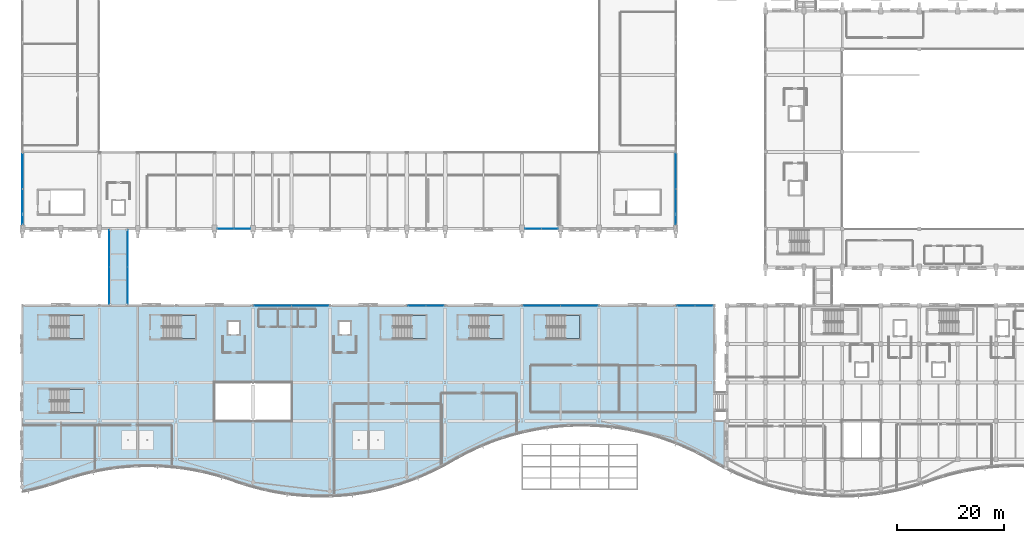
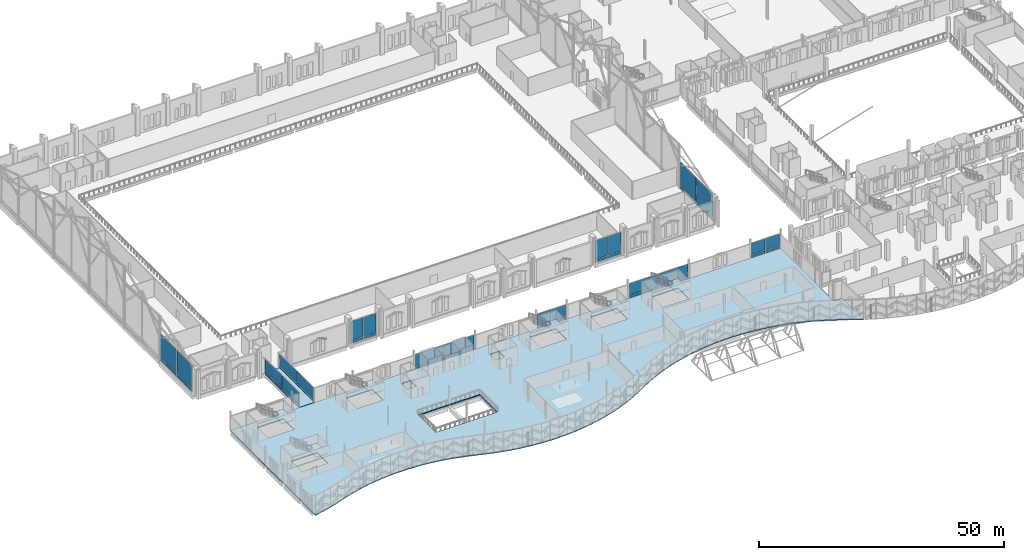
# One storey, part 130 of 220: 40 plates, 8 slabs, 16 elements without a shape of their own.
"""IFC4 building model written with IfcOpenShell, lengths in metres."""

from ifc_helpers import new_model, si_unit, direction, frame, origin, origin_2d, place, context, subcontext, project, spatial, polyline, rectangle, outline, extrude, material, layer, layer_set, type_object, element, aggregate, save


model = new_model("IFC4")

# Units and contexts
model_context = context("Model", 3, precision=1e-05, world=origin(), true_north=direction((0.0, 1.0)))
body_context = subcontext(model_context, "Body", "Model", "MODEL_VIEW")
ifc_project = project(units=[si_unit("LENGTHUNIT", "METRE"), si_unit("AREAUNIT", "SQUARE_METRE"), si_unit("VOLUMEUNIT", "CUBIC_METRE"), si_unit("PLANEANGLEUNIT", "RADIAN"), si_unit("MASSUNIT", "GRAM", prefix="KILO")], contexts=[model_context])

# Site, building, storey
site_placement = place(None, origin())
site = spatial("IfcSite", under=ifc_project, at=site_placement, CompositionType="ELEMENT")
building_placement = place(site_placement, origin())
building = spatial("IfcBuilding", under=site, at=building_placement, Name="Cendralis Lancet Convention Centre", CompositionType="ELEMENT")
storey_placement = place(building_placement, frame((0.0, 0.0, 5.39990234375)))
storey = spatial("IfcBuildingStorey", under=building, at=storey_placement, Name="L01", CompositionType="ELEMENT", Elevation=5.39990234375)

# Curtain wall, plates
ifc_material_1 = material(Name="Anodised bronze architectural aluminium", Category="aluminium")
curtain_wall_type_1 = type_object("IfcCurtainWallType", Name="ARC-CW-BR01", PredefinedType="USERDEFINED", material=ifc_material_1)
curtain_wall_1_placement = place(storey_placement, origin())
curtain_wall_1 = element("IfcCurtainWall", 1, at=curtain_wall_1_placement, inside=storey, type_object=curtain_wall_type_1, Name="L01 Curtain Wall CW-BR1 #209", ObjectType="CURTAIN WALL", PredefinedType="USERDEFINED")
ifc_material_2 = material(Name="Double-glazed low-E solar-control glass", Category="glass")
ifc_layer_1 = layer(ifc_material_2, 0.035888671875, Name="Double-glazed low-E solar-control glass")
ifc_layer_set_1 = layer_set([ifc_layer_1], Name="Double-glazed low-E solar-control glass")
plate_type_1 = type_object("IfcPlateType", Name="ARC-PL-GL01", PredefinedType="CURTAIN_PANEL", material=ifc_layer_set_1)
plate_1_placement = place(storey_placement, frame((16.280029296875, 39.72509765625, 0.8203125), z_axis=(0.0, 0.0, 1.0), x_axis=(0.0, 1.0, 0.0)))
plate_1 = element("IfcPlate", 2, at=plate_1_placement, type_object=plate_type_1, Name="Vision Glass Panel CW2-CW-BR1-L01-209-PG0", PredefinedType="CURTAIN_PANEL", context=body_context, shape_type="SweptSolid", body=[
    extrude(rectangle(XDim=6.81005859375, YDim=0.035888671875, at=origin_2d()), origin(), (0.0, 0.0, 1.0), 2.760009765625),
])
plate_2_placement = place(storey_placement, frame((16.280029296875, 46.675048828125, 0.8203125), z_axis=(0.0, 0.0, 1.0), x_axis=(0.0, 1.0, 0.0)))
plate_2 = element("IfcPlate", 3, at=plate_2_placement, type_object=plate_type_1, Name="Vision Glass Panel CW2-CW-BR1-L01-209-PG1", PredefinedType="CURTAIN_PANEL", context=body_context, shape_type="SweptSolid", body=[
    extrude(rectangle(XDim=6.81005859375, YDim=0.035888671875, at=origin_2d()), origin(), (0.0, 0.0, 1.0), 2.760009765625),
])

curtain_wall_2_placement = place(storey_placement, origin())
curtain_wall_2 = element("IfcCurtainWall", 4, at=curtain_wall_2_placement, inside=storey, type_object=curtain_wall_type_1, Name="L01 Curtain Wall CW-BR1 #210", ObjectType="CURTAIN WALL", PredefinedType="USERDEFINED")
plate_3_placement = place(storey_placement, frame((19.719970703125, 39.72509765625, 0.8203125), z_axis=(0.0, 0.0, 1.0), x_axis=(0.0, 1.0, 0.0)))
plate_3 = element("IfcPlate", 5, at=plate_3_placement, type_object=plate_type_1, Name="Vision Glass Panel CW2-CW-BR1-L01-210-PG0", PredefinedType="CURTAIN_PANEL", context=body_context, shape_type="SweptSolid", body=[
    extrude(rectangle(XDim=6.81005859375, YDim=0.035888671875, at=origin_2d()), origin(), (0.0, 0.0, 1.0), 2.760009765625),
])
plate_4_placement = place(storey_placement, frame((19.719970703125, 46.675048828125, 0.8203125), z_axis=(0.0, 0.0, 1.0), x_axis=(0.0, 1.0, 0.0)))
plate_4 = element("IfcPlate", 6, at=plate_4_placement, type_object=plate_type_1, Name="Vision Glass Panel CW2-CW-BR1-L01-210-PG1", PredefinedType="CURTAIN_PANEL", context=body_context, shape_type="SweptSolid", body=[
    extrude(rectangle(XDim=6.81005859375, YDim=0.035888671875, at=origin_2d()), origin(), (0.0, 0.0, 1.0), 2.760009765625),
])

curtain_wall_type_2 = type_object("IfcCurtainWallType", Name="ARC-CW-CL02", PredefinedType="USERDEFINED", material=ifc_material_1)
curtain_wall_3_placement = place(storey_placement, origin())
curtain_wall_3 = element("IfcCurtainWall", 7, at=curtain_wall_3_placement, inside=storey, type_object=curtain_wall_type_2, Name="L01 Curtain Wall CW-CL2 #097", ObjectType="CURTAIN WALL", PredefinedType="USERDEFINED")
ifc_layer_2 = layer(ifc_material_2, 0.035888671875, Name="Double-glazed low-E solar-control glass")
ifc_layer_set_2 = layer_set([ifc_layer_2], Name="Double-glazed low-E solar-control glass")
plate_type_2 = type_object("IfcPlateType", Name="ARC-PL-GL02", PredefinedType="CURTAIN_PANEL", material=ifc_layer_set_2)
plate_5_placement = place(storey_placement, frame((41.168701171875, 50.39990234375, 0.81982421875), z_axis=(0.0, 0.0, 1.0), x_axis=(-1.0, 0.0, 0.0)))
plate_5 = element("IfcPlate", 8, at=plate_5_placement, type_object=plate_type_2, Name="Vision Glass Panel CW2-CW-CL2-L01-097-PG0", PredefinedType="CURTAIN_PANEL", context=body_context, shape_type="SweptSolid", body=[
    extrude(rectangle(XDim=2.952392578125, YDim=0.035888671875, at=origin_2d()), origin(), (0.0, 0.0, 1.0), 4.695068359375),
])
plate_6_placement = place(storey_placement, frame((38.05615234375, 50.39990234375, 0.81982421875), z_axis=(0.0, 0.0, 1.0), x_axis=(-1.0, 0.0, 0.0)))
plate_6 = element("IfcPlate", 9, at=plate_6_placement, type_object=plate_type_2, Name="Vision Glass Panel CW2-CW-CL2-L01-097-PG1", PredefinedType="CURTAIN_PANEL", context=body_context, shape_type="SweptSolid", body=[
    extrude(rectangle(XDim=2.952392578125, YDim=0.035888671875, at=origin_2d()), origin(), (0.0, 0.0, 1.0), 4.695068359375),
])

curtain_wall_4_placement = place(storey_placement, origin())
curtain_wall_4 = element("IfcCurtainWall", 10, at=curtain_wall_4_placement, inside=storey, type_object=curtain_wall_type_2, Name="L01 Curtain Wall CW-CL2 #098", ObjectType="CURTAIN WALL", PredefinedType="USERDEFINED")
plate_7_placement = place(storey_placement, frame((98.768798828125, 50.39990234375, 0.81982421875), z_axis=(0.0, 0.0, 1.0), x_axis=(-1.0, 0.0, 0.0)))
plate_7 = element("IfcPlate", 11, at=plate_7_placement, type_object=plate_type_2, Name="Vision Glass Panel CW2-CW-CL2-L01-098-PG0", PredefinedType="CURTAIN_PANEL", context=body_context, shape_type="SweptSolid", body=[
    extrude(rectangle(XDim=2.952392578125, YDim=0.035888671875, at=origin_2d()), origin(), (0.0, 0.0, 1.0), 4.695068359375),
])
plate_8_placement = place(storey_placement, frame((95.65625, 50.39990234375, 0.81982421875), z_axis=(0.0, 0.0, 1.0), x_axis=(-1.0, 0.0, 0.0)))
plate_8 = element("IfcPlate", 12, at=plate_8_placement, type_object=plate_type_2, Name="Vision Glass Panel CW2-CW-CL2-L01-098-PG1", PredefinedType="CURTAIN_PANEL", context=body_context, shape_type="SweptSolid", body=[
    extrude(rectangle(XDim=2.952392578125, YDim=0.035888671875, at=origin_2d()), origin(), (0.0, 0.0, 1.0), 4.695068359375),
])

curtain_wall_type_3 = type_object("IfcCurtainWallType", Name="ARC-CW-GB02", PredefinedType="USERDEFINED", material=ifc_material_1)
curtain_wall_5_placement = place(storey_placement, origin())
curtain_wall_5 = element("IfcCurtainWall", 13, at=curtain_wall_5_placement, inside=storey, type_object=curtain_wall_type_3, Name="L01 Curtain Wall CW-GB2 #099", ObjectType="CURTAIN WALL", PredefinedType="USERDEFINED")
plate_9_placement = place(storey_placement, frame((0.0, 54.505615234375, 0.830078125), z_axis=(0.0, 0.0, 1.0), x_axis=(0.0, 1.0, 0.0)))
plate_9 = element("IfcPlate", 14, at=plate_9_placement, type_object=plate_type_2, Name="Vision Glass Panel CW2-CW-GB2-L01-099-PG0", PredefinedType="CURTAIN_PANEL", context=body_context, shape_type="SweptSolid", body=[
    extrude(rectangle(XDim=6.531005859375, YDim=0.035888671875, at=origin_2d()), origin(), (0.0, 0.0, 1.0), 5.93994140625),
])
plate_10_placement = place(storey_placement, frame((0.0, 61.216552734375, 0.830078125), z_axis=(0.0, 0.0, 1.0), x_axis=(0.0, 1.0, 0.0)))
plate_10 = element("IfcPlate", 15, at=plate_10_placement, type_object=plate_type_2, Name="Vision Glass Panel CW2-CW-GB2-L01-099-PG1", PredefinedType="CURTAIN_PANEL", context=body_context, shape_type="SweptSolid", body=[
    extrude(rectangle(XDim=6.531005859375, YDim=0.035888671875, at=origin_2d()), origin(), (0.0, 0.0, 1.0), 5.93994140625),
])

curtain_wall_6_placement = place(storey_placement, origin())
curtain_wall_6 = element("IfcCurtainWall", 16, at=curtain_wall_6_placement, inside=storey, type_object=curtain_wall_type_3, Name="L01 Curtain Wall CW-GB2 #105", ObjectType="CURTAIN WALL", PredefinedType="USERDEFINED")
plate_11_placement = place(storey_placement, frame((122.39990234375, 61.216552734375, 0.830078125), z_axis=(0.0, 0.0, 1.0), x_axis=(0.0, -1.0, 0.0)))
plate_11 = element("IfcPlate", 17, at=plate_11_placement, type_object=plate_type_2, Name="Vision Glass Panel CW2-CW-GB2-L01-105-PG0", PredefinedType="CURTAIN_PANEL", context=body_context, shape_type="SweptSolid", body=[
    extrude(rectangle(XDim=6.531005859375, YDim=0.035888671875, at=origin_2d()), origin(), (0.0, 0.0, 1.0), 5.93994140625),
])
plate_12_placement = place(storey_placement, frame((122.39990234375, 54.505615234375, 0.830078125), z_axis=(0.0, 0.0, 1.0), x_axis=(0.0, -1.0, 0.0)))
plate_12 = element("IfcPlate", 18, at=plate_12_placement, type_object=plate_type_2, Name="Vision Glass Panel CW2-CW-GB2-L01-105-PG1", PredefinedType="CURTAIN_PANEL", context=body_context, shape_type="SweptSolid", body=[
    extrude(rectangle(XDim=6.531005859375, YDim=0.035888671875, at=origin_2d()), origin(), (0.0, 0.0, 1.0), 5.93994140625),
])

curtain_wall_7_placement = place(storey_placement, origin())
curtain_wall_7 = element("IfcCurtainWall", 19, at=curtain_wall_7_placement, inside=storey, type_object=curtain_wall_type_2, Name="L01 Curtain Wall CW-CL2 #166", ObjectType="CURTAIN WALL", PredefinedType="USERDEFINED")
ifc_layer_3 = layer(ifc_material_2, 0.035888671875, Name="Double-glazed low-E solar-control glass")
ifc_layer_set_3 = layer_set([ifc_layer_3], Name="Double-glazed low-E solar-control glass")
plate_type_3 = type_object("IfcPlateType", Name="ARC-PL-GL03", PredefinedType="CURTAIN_PANEL", material=ifc_layer_set_3)
plate_13_placement = place(storey_placement, frame((46.89990234375, 36.0, 0.8203125), z_axis=(0.0, 0.0, 1.0), x_axis=(1.0, 0.0, 0.0)))
plate_13 = element("IfcPlate", 20, at=plate_13_placement, type_object=plate_type_3, Name="Vision Glass Panel CW2-CW-CL2-L01-166-PG0", PredefinedType="CURTAIN_PANEL", context=body_context, shape_type="SweptSolid", body=[
    extrude(rectangle(XDim=6.860107421875, YDim=0.035888671875, at=origin_2d()), origin(), (0.0, 0.0, 1.0), 2.844970703125),
])
plate_14_placement = place(storey_placement, frame((53.89990234375, 36.0, 0.8203125), z_axis=(0.0, 0.0, 1.0), x_axis=(1.0, 0.0, 0.0)))
plate_14 = element("IfcPlate", 21, at=plate_14_placement, type_object=plate_type_3, Name="Vision Glass Panel CW2-CW-CL2-L01-166-PG1", PredefinedType="CURTAIN_PANEL", context=body_context, shape_type="SweptSolid", body=[
    extrude(rectangle(XDim=6.860107421875, YDim=0.035888671875, at=origin_2d()), origin(), (0.0, 0.0, 1.0), 2.844970703125),
])

curtain_wall_8_placement = place(storey_placement, origin())
curtain_wall_8 = element("IfcCurtainWall", 22, at=curtain_wall_8_placement, inside=storey, type_object=curtain_wall_type_2, Name="L01 Curtain Wall CW-CL2 #167", ObjectType="CURTAIN WALL", PredefinedType="USERDEFINED")
plate_15_placement = place(storey_placement, frame((73.89990234375, 36.0, 0.8203125), z_axis=(0.0, 0.0, 1.0), x_axis=(1.0, 0.0, 0.0)))
plate_15 = element("IfcPlate", 23, at=plate_15_placement, type_object=plate_type_3, Name="Vision Glass Panel CW2-CW-CL2-L01-167-PG0", PredefinedType="CURTAIN_PANEL", context=body_context, shape_type="SweptSolid", body=[
    extrude(rectangle(XDim=3.260009765625, YDim=0.035888671875, at=origin_2d()), origin(), (0.0, 0.0, 1.0), 2.844970703125),
])
plate_16_placement = place(storey_placement, frame((77.300048828125, 36.0, 0.8203125), z_axis=(0.0, 0.0, 1.0), x_axis=(1.0, 0.0, 0.0)))
plate_16 = element("IfcPlate", 24, at=plate_16_placement, type_object=plate_type_3, Name="Vision Glass Panel CW2-CW-CL2-L01-167-PG1", PredefinedType="CURTAIN_PANEL", context=body_context, shape_type="SweptSolid", body=[
    extrude(rectangle(XDim=3.260009765625, YDim=0.035888671875, at=origin_2d()), origin(), (0.0, 0.0, 1.0), 2.844970703125),
])

curtain_wall_9_placement = place(storey_placement, origin())
curtain_wall_9 = element("IfcCurtainWall", 25, at=curtain_wall_9_placement, inside=storey, type_object=curtain_wall_type_2, Name="L01 Curtain Wall CW-CL2 #168", ObjectType="CURTAIN WALL", PredefinedType="USERDEFINED")
plate_17_placement = place(storey_placement, frame((97.300048828125, 36.0, 0.8203125), z_axis=(0.0, 0.0, 1.0), x_axis=(1.0, 0.0, 0.0)))
plate_17 = element("IfcPlate", 26, at=plate_17_placement, type_object=plate_type_3, Name="Vision Glass Panel CW2-CW-CL2-L01-168-PG0", PredefinedType="CURTAIN_PANEL", context=body_context, shape_type="SweptSolid", body=[
    extrude(rectangle(XDim=6.860107421875, YDim=0.035888671875, at=origin_2d()), origin(), (0.0, 0.0, 1.0), 2.844970703125),
])
plate_18_placement = place(storey_placement, frame((104.300048828125, 36.0, 0.8203125), z_axis=(0.0, 0.0, 1.0), x_axis=(1.0, 0.0, 0.0)))
plate_18 = element("IfcPlate", 27, at=plate_18_placement, type_object=plate_type_3, Name="Vision Glass Panel CW2-CW-CL2-L01-168-PG1", PredefinedType="CURTAIN_PANEL", context=body_context, shape_type="SweptSolid", body=[
    extrude(rectangle(XDim=6.860107421875, YDim=0.035888671875, at=origin_2d()), origin(), (0.0, 0.0, 1.0), 2.844970703125),
])

curtain_wall_10_placement = place(storey_placement, origin())
curtain_wall_10 = element("IfcCurtainWall", 28, at=curtain_wall_10_placement, inside=storey, type_object=curtain_wall_type_2, Name="L01 Curtain Wall CW-CL2 #169", ObjectType="CURTAIN WALL", PredefinedType="USERDEFINED")
plate_19_placement = place(storey_placement, frame((124.300048828125, 36.0, 0.8203125), z_axis=(0.0, 0.0, 1.0), x_axis=(1.0, 0.0, 0.0)))
plate_19 = element("IfcPlate", 29, at=plate_19_placement, type_object=plate_type_3, Name="Vision Glass Panel CW2-CW-CL2-L01-169-PG0", PredefinedType="CURTAIN_PANEL", context=body_context, shape_type="SweptSolid", body=[
    extrude(rectangle(XDim=3.260009765625, YDim=0.035888671875, at=origin_2d()), origin(), (0.0, 0.0, 1.0), 2.844970703125),
])
plate_20_placement = place(storey_placement, frame((127.699951171875, 36.0, 0.8203125), z_axis=(0.0, 0.0, 1.0), x_axis=(1.0, 0.0, 0.0)))
plate_20 = element("IfcPlate", 30, at=plate_20_placement, type_object=plate_type_3, Name="Vision Glass Panel CW2-CW-CL2-L01-169-PG1", PredefinedType="CURTAIN_PANEL", context=body_context, shape_type="SweptSolid", body=[
    extrude(rectangle(XDim=3.260009765625, YDim=0.035888671875, at=origin_2d()), origin(), (0.0, 0.0, 1.0), 2.844970703125),
])

# Plate
ifc_material_3 = material(Name="Insulated ceramic-fritted spandrel glass", Category="glass")
ifc_layer_4 = layer(ifc_material_3, 0.044921875, Name="Insulated ceramic-fritted spandrel glass")
ifc_layer_set_4 = layer_set([ifc_layer_4], Name="Insulated ceramic-fritted spandrel glass")
plate_type_4 = type_object("IfcPlateType", Name="ARC-PL-SP01", PredefinedType="CURTAIN_PANEL", material=ifc_layer_set_4)
plate_21_placement = place(storey_placement, frame((41.168701171875, 50.39990234375, 0.06982421875), z_axis=(0.0, 0.0, 1.0), x_axis=(-1.0, 0.0, 0.0)))
plate_21 = element("IfcPlate", 31, at=plate_21_placement, type_object=plate_type_4, Name="Spandrel Panel CW2-CW-CL2-L01-097-PS0", PredefinedType="CURTAIN_PANEL", context=body_context, shape_type="SweptSolid", body=[
    extrude(rectangle(XDim=2.952392578125, YDim=0.044921875, at=origin_2d()), origin(), (0.0, 0.0, 1.0), 0.610107421875),
])

plate_22_placement = place(storey_placement, frame((38.05615234375, 50.39990234375, 0.06982421875), z_axis=(0.0, 0.0, 1.0), x_axis=(-1.0, 0.0, 0.0)))
plate_22 = element("IfcPlate", 32, at=plate_22_placement, type_object=plate_type_4, Name="Spandrel Panel CW2-CW-CL2-L01-097-PS1", PredefinedType="CURTAIN_PANEL", context=body_context, shape_type="SweptSolid", body=[
    extrude(rectangle(XDim=2.952392578125, YDim=0.044921875, at=origin_2d()), origin(), (0.0, 0.0, 1.0), 0.610107421875),
])

aggregate(curtain_wall_3, [plate_21, plate_5, plate_22, plate_6])

plate_23_placement = place(storey_placement, frame((98.768798828125, 50.39990234375, 0.06982421875), z_axis=(0.0, 0.0, 1.0), x_axis=(-1.0, 0.0, 0.0)))
plate_23 = element("IfcPlate", 33, at=plate_23_placement, type_object=plate_type_4, Name="Spandrel Panel CW2-CW-CL2-L01-098-PS0", PredefinedType="CURTAIN_PANEL", context=body_context, shape_type="SweptSolid", body=[
    extrude(rectangle(XDim=2.952392578125, YDim=0.044921875, at=origin_2d()), origin(), (0.0, 0.0, 1.0), 0.610107421875),
])

plate_24_placement = place(storey_placement, frame((95.65625, 50.39990234375, 0.06982421875), z_axis=(0.0, 0.0, 1.0), x_axis=(-1.0, 0.0, 0.0)))
plate_24 = element("IfcPlate", 34, at=plate_24_placement, type_object=plate_type_4, Name="Spandrel Panel CW2-CW-CL2-L01-098-PS1", PredefinedType="CURTAIN_PANEL", context=body_context, shape_type="SweptSolid", body=[
    extrude(rectangle(XDim=2.952392578125, YDim=0.044921875, at=origin_2d()), origin(), (0.0, 0.0, 1.0), 0.610107421875),
])

aggregate(curtain_wall_4, [plate_23, plate_7, plate_24, plate_8])

plate_25_placement = place(storey_placement, frame((0.0, 54.505615234375, 0.080078125), z_axis=(0.0, 0.0, 1.0), x_axis=(0.0, 1.0, 0.0)))
plate_25 = element("IfcPlate", 35, at=plate_25_placement, type_object=plate_type_4, Name="Spandrel Panel CW2-CW-GB2-L01-099-PS0", PredefinedType="CURTAIN_PANEL", context=body_context, shape_type="SweptSolid", body=[
    extrude(rectangle(XDim=6.531005859375, YDim=0.044921875, at=origin_2d()), origin(), (0.0, 0.0, 1.0), 0.590087890625),
])

plate_26_placement = place(storey_placement, frame((0.0, 61.216552734375, 0.080078125), z_axis=(0.0, 0.0, 1.0), x_axis=(0.0, 1.0, 0.0)))
plate_26 = element("IfcPlate", 36, at=plate_26_placement, type_object=plate_type_4, Name="Spandrel Panel CW2-CW-GB2-L01-099-PS1", PredefinedType="CURTAIN_PANEL", context=body_context, shape_type="SweptSolid", body=[
    extrude(rectangle(XDim=6.531005859375, YDim=0.044921875, at=origin_2d()), origin(), (0.0, 0.0, 1.0), 0.590087890625),
])

aggregate(curtain_wall_5, [plate_25, plate_9, plate_26, plate_10])

plate_27_placement = place(storey_placement, frame((122.39990234375, 61.216552734375, 0.080078125), z_axis=(0.0, 0.0, 1.0), x_axis=(0.0, -1.0, 0.0)))
plate_27 = element("IfcPlate", 37, at=plate_27_placement, type_object=plate_type_4, Name="Spandrel Panel CW2-CW-GB2-L01-105-PS0", PredefinedType="CURTAIN_PANEL", context=body_context, shape_type="SweptSolid", body=[
    extrude(rectangle(XDim=6.531005859375, YDim=0.044921875, at=origin_2d()), origin(), (0.0, 0.0, 1.0), 0.590087890625),
])

plate_28_placement = place(storey_placement, frame((122.39990234375, 54.505615234375, 0.080078125), z_axis=(0.0, 0.0, 1.0), x_axis=(0.0, -1.0, 0.0)))
plate_28 = element("IfcPlate", 38, at=plate_28_placement, type_object=plate_type_4, Name="Spandrel Panel CW2-CW-GB2-L01-105-PS1", PredefinedType="CURTAIN_PANEL", context=body_context, shape_type="SweptSolid", body=[
    extrude(rectangle(XDim=6.531005859375, YDim=0.044921875, at=origin_2d()), origin(), (0.0, 0.0, 1.0), 0.590087890625),
])

aggregate(curtain_wall_6, [plate_27, plate_11, plate_28, plate_12])

plate_29_placement = place(storey_placement, frame((46.89990234375, 36.0, 0.06982421875), z_axis=(0.0, 0.0, 1.0), x_axis=(1.0, 0.0, 0.0)))
plate_29 = element("IfcPlate", 39, at=plate_29_placement, type_object=plate_type_4, Name="Spandrel Panel CW2-CW-CL2-L01-166-PS0", PredefinedType="CURTAIN_PANEL", context=body_context, shape_type="SweptSolid", body=[
    extrude(rectangle(XDim=6.860107421875, YDim=0.044921875, at=origin_2d()), origin(), (0.0, 0.0, 1.0), 0.610107421875),
])

plate_30_placement = place(storey_placement, frame((53.89990234375, 36.0, 0.06982421875), z_axis=(0.0, 0.0, 1.0), x_axis=(1.0, 0.0, 0.0)))
plate_30 = element("IfcPlate", 40, at=plate_30_placement, type_object=plate_type_4, Name="Spandrel Panel CW2-CW-CL2-L01-166-PS1", PredefinedType="CURTAIN_PANEL", context=body_context, shape_type="SweptSolid", body=[
    extrude(rectangle(XDim=6.860107421875, YDim=0.044921875, at=origin_2d()), origin(), (0.0, 0.0, 1.0), 0.610107421875),
])

aggregate(curtain_wall_7, [plate_29, plate_13, plate_30, plate_14])

plate_31_placement = place(storey_placement, frame((73.89990234375, 36.0, 0.06982421875), z_axis=(0.0, 0.0, 1.0), x_axis=(1.0, 0.0, 0.0)))
plate_31 = element("IfcPlate", 41, at=plate_31_placement, type_object=plate_type_4, Name="Spandrel Panel CW2-CW-CL2-L01-167-PS0", PredefinedType="CURTAIN_PANEL", context=body_context, shape_type="SweptSolid", body=[
    extrude(rectangle(XDim=3.260009765625, YDim=0.044921875, at=origin_2d()), origin(), (0.0, 0.0, 1.0), 0.610107421875),
])

plate_32_placement = place(storey_placement, frame((77.300048828125, 36.0, 0.06982421875), z_axis=(0.0, 0.0, 1.0), x_axis=(1.0, 0.0, 0.0)))
plate_32 = element("IfcPlate", 42, at=plate_32_placement, type_object=plate_type_4, Name="Spandrel Panel CW2-CW-CL2-L01-167-PS1", PredefinedType="CURTAIN_PANEL", context=body_context, shape_type="SweptSolid", body=[
    extrude(rectangle(XDim=3.260009765625, YDim=0.044921875, at=origin_2d()), origin(), (0.0, 0.0, 1.0), 0.610107421875),
])

aggregate(curtain_wall_8, [plate_31, plate_15, plate_32, plate_16])

plate_33_placement = place(storey_placement, frame((97.300048828125, 36.0, 0.06982421875), z_axis=(0.0, 0.0, 1.0), x_axis=(1.0, 0.0, 0.0)))
plate_33 = element("IfcPlate", 43, at=plate_33_placement, type_object=plate_type_4, Name="Spandrel Panel CW2-CW-CL2-L01-168-PS0", PredefinedType="CURTAIN_PANEL", context=body_context, shape_type="SweptSolid", body=[
    extrude(rectangle(XDim=6.860107421875, YDim=0.044921875, at=origin_2d()), origin(), (0.0, 0.0, 1.0), 0.610107421875),
])

plate_34_placement = place(storey_placement, frame((104.300048828125, 36.0, 0.06982421875), z_axis=(0.0, 0.0, 1.0), x_axis=(1.0, 0.0, 0.0)))
plate_34 = element("IfcPlate", 44, at=plate_34_placement, type_object=plate_type_4, Name="Spandrel Panel CW2-CW-CL2-L01-168-PS1", PredefinedType="CURTAIN_PANEL", context=body_context, shape_type="SweptSolid", body=[
    extrude(rectangle(XDim=6.860107421875, YDim=0.044921875, at=origin_2d()), origin(), (0.0, 0.0, 1.0), 0.610107421875),
])

aggregate(curtain_wall_9, [plate_33, plate_17, plate_34, plate_18])

plate_35_placement = place(storey_placement, frame((124.300048828125, 36.0, 0.06982421875), z_axis=(0.0, 0.0, 1.0), x_axis=(1.0, 0.0, 0.0)))
plate_35 = element("IfcPlate", 45, at=plate_35_placement, type_object=plate_type_4, Name="Spandrel Panel CW2-CW-CL2-L01-169-PS0", PredefinedType="CURTAIN_PANEL", context=body_context, shape_type="SweptSolid", body=[
    extrude(rectangle(XDim=3.260009765625, YDim=0.044921875, at=origin_2d()), origin(), (0.0, 0.0, 1.0), 0.610107421875),
])

plate_36_placement = place(storey_placement, frame((127.699951171875, 36.0, 0.06982421875), z_axis=(0.0, 0.0, 1.0), x_axis=(1.0, 0.0, 0.0)))
plate_36 = element("IfcPlate", 46, at=plate_36_placement, type_object=plate_type_4, Name="Spandrel Panel CW2-CW-CL2-L01-169-PS1", PredefinedType="CURTAIN_PANEL", context=body_context, shape_type="SweptSolid", body=[
    extrude(rectangle(XDim=3.260009765625, YDim=0.044921875, at=origin_2d()), origin(), (0.0, 0.0, 1.0), 0.610107421875),
])

aggregate(curtain_wall_10, [plate_35, plate_19, plate_36, plate_20])

plate_37_placement = place(storey_placement, frame((16.280029296875, 39.72509765625, 0.06982421875), z_axis=(0.0, 0.0, 1.0), x_axis=(0.0, 1.0, 0.0)))
plate_37 = element("IfcPlate", 47, at=plate_37_placement, type_object=plate_type_4, Name="Spandrel Panel CW2-CW-BR1-L01-209-PS0", PredefinedType="CURTAIN_PANEL", context=body_context, shape_type="SweptSolid", body=[
    extrude(rectangle(XDim=6.81005859375, YDim=0.044921875, at=origin_2d()), origin(), (0.0, 0.0, 1.0), 0.610107421875),
])

plate_38_placement = place(storey_placement, frame((16.280029296875, 46.675048828125, 0.06982421875), z_axis=(0.0, 0.0, 1.0), x_axis=(0.0, 1.0, 0.0)))
plate_38 = element("IfcPlate", 48, at=plate_38_placement, type_object=plate_type_4, Name="Spandrel Panel CW2-CW-BR1-L01-209-PS1", PredefinedType="CURTAIN_PANEL", context=body_context, shape_type="SweptSolid", body=[
    extrude(rectangle(XDim=6.81005859375, YDim=0.044921875, at=origin_2d()), origin(), (0.0, 0.0, 1.0), 0.610107421875),
])

aggregate(curtain_wall_1, [plate_37, plate_1, plate_38, plate_2])

plate_39_placement = place(storey_placement, frame((19.719970703125, 39.72509765625, 0.06982421875), z_axis=(0.0, 0.0, 1.0), x_axis=(0.0, 1.0, 0.0)))
plate_39 = element("IfcPlate", 49, at=plate_39_placement, type_object=plate_type_4, Name="Spandrel Panel CW2-CW-BR1-L01-210-PS0", PredefinedType="CURTAIN_PANEL", context=body_context, shape_type="SweptSolid", body=[
    extrude(rectangle(XDim=6.81005859375, YDim=0.044921875, at=origin_2d()), origin(), (0.0, 0.0, 1.0), 0.610107421875),
])

plate_40_placement = place(storey_placement, frame((19.719970703125, 46.675048828125, 0.06982421875), z_axis=(0.0, 0.0, 1.0), x_axis=(0.0, 1.0, 0.0)))
plate_40 = element("IfcPlate", 50, at=plate_40_placement, type_object=plate_type_4, Name="Spandrel Panel CW2-CW-BR1-L01-210-PS1", PredefinedType="CURTAIN_PANEL", context=body_context, shape_type="SweptSolid", body=[
    extrude(rectangle(XDim=6.81005859375, YDim=0.044921875, at=origin_2d()), origin(), (0.0, 0.0, 1.0), 0.610107421875),
])

aggregate(curtain_wall_2, [plate_39, plate_3, plate_40, plate_4])

# Slabs
ifc_material_4 = material(Name="Concrete G35 (C35/45)", Category="concrete")
ifc_layer_5 = layer(ifc_material_4, 0.219970703125, Name="Concrete G35 (C35/45)")
ifc_layer_set_5 = layer_set([ifc_layer_5], Name="Concrete G35 (C35/45)")
slab_type_1 = type_object("IfcSlabType", Name="STR-SL-FS22", PredefinedType="FLOOR", material=ifc_layer_set_5)
slab_1_placement = place(storey_placement, frame((0.0, 0.0, -0.219970703125)))
element("IfcSlab", 51, at=slab_1_placement, inside=storey, type_object=slab_type_1, Name="West Cloister Covered Passage Link Slab L01", PredefinedType="FLOOR", context=body_context, shape_type="SweptSolid", body=[
    extrude(outline(polyline([(16.550048828125, 36.0), (19.449951171875, 36.0), (19.800048828125, 36.35009765625), (19.800048828125, 50.050048828125), (19.449951171875, 50.39990234375), (16.550048828125, 50.39990234375), (16.199951171875, 50.050048828125), (16.199951171875, 36.35009765625), (16.550048828125, 36.0)])), origin(), (0.0, 0.0, 1.0), 0.219970703125),
])
ifc_layer_6 = layer(ifc_material_4, 0.260009765625, Name="Concrete G35 (C35/45)")
ifc_layer_set_6 = layer_set([ifc_layer_6], Name="Concrete G35 (C35/45)")
slab_type_2 = type_object("IfcSlabType", Name="STR-SL-FS26", PredefinedType="FLOOR", material=ifc_layer_set_6)
slab_2_placement = place(storey_placement, frame((0.0, 0.0, -0.260009765625)))
element("IfcSlab", 52, at=slab_2_placement, inside=storey, type_object=slab_type_2, Name="L01 V4 Floor Slab FS-260", PredefinedType="FLOOR", context=body_context, shape_type="SweptSolid", body=[
    extrude(outline(polyline([(0.0, 1.324951171875), (2.02490234375, 1.762939453125), (4.050048828125, 2.2939453125), (6.075927734375, 2.9208984375), (8.10107421875, 3.6259765625), (10.1259765625, 4.260009765625), (12.15087890625, 4.798095703125), (14.177001953125, 5.242919921875), (16.201904296875, 5.597900390625), (18.22705078125, 5.864013671875), (20.251953125, 6.04296875), (22.278076171875, 6.135009765625), (24.302978515625, 6.14306640625), (26.327880859375, 6.06396484375), (28.35302734375, 5.89990234375), (30.3779296875, 5.64892578125), (32.404052734375, 5.31005859375), (34.428955078125, 4.8798828125), (36.4541015625, 4.35791015625), (38.47900390625, 3.739990234375), (40.5048828125, 3.035888671875), (42.530029296875, 2.39306640625), (44.554931640625, 1.845947265625), (46.580078125, 1.39306640625), (48.60595703125, 1.030029296875), (50.631103515625, 0.757080078125), (52.656005859375, 0.570068359375), (54.680908203125, 0.468994140625), (56.7060546875, 0.455078125), (58.73193359375, 0.52490234375), (60.757080078125, 0.680908203125), (62.781982421875, 0.925048828125), (64.806884765625, 1.256103515625), (66.8330078125, 1.677001953125), (68.85791015625, 2.19091796875), (70.883056640625, 2.800048828125), (72.907958984375, 3.508056640625), (74.93408203125, 4.321044921875), (76.958984375, 5.243896484375), (78.98388671875, 6.283935546875), (81.009033203125, 7.43896484375), (83.033935546875, 8.531005859375), (85.06005859375, 9.5029296875), (87.0849609375, 10.361083984375), (89.110107421875, 11.113037109375), (91.135009765625, 11.763916015625), (93.160888671875, 12.318115234375), (95.18603515625, 12.777099609375), (97.2109375, 13.14599609375), (99.236083984375, 13.426025390625), (101.261962890625, 13.618896484375), (103.287109375, 13.72607421875), (105.31201171875, 13.7470703125), (107.3369140625, 13.68310546875), (109.362060546875, 13.532958984375), (111.387939453125, 13.2958984375), (113.4130859375, 12.970947265625), (115.43798828125, 12.555908203125), (117.462890625, 12.050048828125), (119.489013671875, 11.447021484375), (121.513916015625, 10.74609375), (123.5390625, 9.94091796875), (125.56396484375, 9.027099609375), (127.590087890625, 7.9951171875), (129.614990234375, 6.843994140625), (131.639892578125, 5.742919921875), (131.639892578125, 14.39990234375), (129.60009765625, 14.39990234375), (129.60009765625, 36.0), (0.0, 36.0), (0.0, 1.324951171875)]), holes=[polyline([(36.0, 14.39990234375), (50.39990234375, 14.39990234375), (50.39990234375, 21.60009765625), (36.0, 21.60009765625), (36.0, 14.39990234375)]), polyline([(26.31005859375, 29.800048828125), (32.39990234375, 29.800048828125), (32.39990234375, 34.179931640625), (26.31005859375, 34.179931640625), (26.31005859375, 29.800048828125)]), polyline([(69.510009765625, 29.800048828125), (75.60009765625, 29.800048828125), (75.60009765625, 34.179931640625), (69.510009765625, 34.179931640625), (69.510009765625, 29.800048828125)]), polyline([(5.31005859375, 15.949951171875), (11.39990234375, 15.949951171875), (11.39990234375, 20.330078125), (5.31005859375, 20.330078125), (5.31005859375, 15.949951171875)]), polyline([(98.31005859375, 29.800048828125), (104.39990234375, 29.800048828125), (104.39990234375, 34.179931640625), (98.31005859375, 34.179931640625), (98.31005859375, 29.800048828125)]), polyline([(5.31005859375, 29.800048828125), (11.39990234375, 29.800048828125), (11.39990234375, 34.179931640625), (5.31005859375, 34.179931640625), (5.31005859375, 29.800048828125)]), polyline([(83.909912109375, 29.800048828125), (90.0, 29.800048828125), (90.0, 34.179931640625), (83.909912109375, 34.179931640625), (83.909912109375, 29.800048828125)]), polyline([(38.550048828125, 30.60009765625), (40.64990234375, 30.60009765625), (40.64990234375, 33.0), (38.550048828125, 33.0), (38.550048828125, 30.60009765625)]), polyline([(59.35009765625, 30.60009765625), (61.449951171875, 30.60009765625), (61.449951171875, 33.0), (59.35009765625, 33.0), (59.35009765625, 30.60009765625)])]), origin(), (0.0, 0.0, 1.0), 0.260009765625),
])

# Stair, slab
stair_type = type_object("IfcStairType", Name="ARC-ST-CORE", PredefinedType="HALF_TURN_STAIR", material=ifc_material_4)
stair_1_placement = place(storey_placement, origin())
stair_1 = element("IfcStair", 53, at=stair_1_placement, inside=storey, type_object=stair_type, Name="L01 Protected Exit Stair ST-11", PredefinedType="HALF_TURN_STAIR")
ifc_layer_7 = layer(ifc_material_4, 0.199951171875, Name="Concrete G35 (C35/45)")
ifc_layer_set_7 = layer_set([ifc_layer_7], Name="Concrete G35 (C35/45)")
slab_type_3 = type_object("IfcSlabType", Name="STR-SL-LAND", PredefinedType="LANDING", material=ifc_layer_set_7)
slab_3_placement = place(storey_placement, frame((0.0, 0.0, 2.2001953125)))
slab_3 = element("IfcSlab", 54, at=slab_3_placement, type_object=slab_type_3, Name="ST-11 landing 1", PredefinedType="LANDING", context=body_context, shape_type="SweptSolid", body=[
    extrude(outline(polyline([(29.6298828125, 29.800048828125), (32.39990234375, 29.800048828125), (32.39990234375, 34.179931640625), (29.6298828125, 34.179931640625), (29.6298828125, 29.800048828125)])), origin(), (0.0, 0.0, 1.0), 0.199951171875),
])
aggregate(stair_1, [slab_3])

stair_2_placement = place(storey_placement, origin())
stair_2 = element("IfcStair", 55, at=stair_2_placement, inside=storey, type_object=stair_type, Name="L01 Protected Exit Stair ST-12", PredefinedType="HALF_TURN_STAIR")
slab_4_placement = place(storey_placement, frame((0.0, 0.0, 2.2001953125)))
slab_4 = element("IfcSlab", 56, at=slab_4_placement, type_object=slab_type_3, Name="ST-12 landing 1", PredefinedType="LANDING", context=body_context, shape_type="SweptSolid", body=[
    extrude(outline(polyline([(72.830078125, 29.800048828125), (75.60009765625, 29.800048828125), (75.60009765625, 34.179931640625), (72.830078125, 34.179931640625), (72.830078125, 29.800048828125)])), origin(), (0.0, 0.0, 1.0), 0.199951171875),
])
aggregate(stair_2, [slab_4])

stair_3_placement = place(storey_placement, origin())
stair_3 = element("IfcStair", 57, at=stair_3_placement, inside=storey, type_object=stair_type, Name="L01 Protected Exit Stair ST-17", PredefinedType="HALF_TURN_STAIR")
slab_5_placement = place(storey_placement, frame((0.0, 0.0, 2.2001953125)))
slab_5 = element("IfcSlab", 58, at=slab_5_placement, type_object=slab_type_3, Name="ST-17 landing 1", PredefinedType="LANDING", context=body_context, shape_type="SweptSolid", body=[
    extrude(outline(polyline([(8.6298828125, 15.949951171875), (11.39990234375, 15.949951171875), (11.39990234375, 20.330078125), (8.6298828125, 20.330078125), (8.6298828125, 15.949951171875)])), origin(), (0.0, 0.0, 1.0), 0.199951171875),
])
aggregate(stair_3, [slab_5])

stair_4_placement = place(storey_placement, origin())
stair_4 = element("IfcStair", 59, at=stair_4_placement, inside=storey, type_object=stair_type, Name="L01 Protected Exit Stair ST-18", PredefinedType="HALF_TURN_STAIR")
slab_6_placement = place(storey_placement, frame((0.0, 0.0, 2.2001953125)))
slab_6 = element("IfcSlab", 60, at=slab_6_placement, type_object=slab_type_3, Name="ST-18 landing 1", PredefinedType="LANDING", context=body_context, shape_type="SweptSolid", body=[
    extrude(outline(polyline([(101.6298828125, 29.800048828125), (104.39990234375, 29.800048828125), (104.39990234375, 34.179931640625), (101.6298828125, 34.179931640625), (101.6298828125, 29.800048828125)])), origin(), (0.0, 0.0, 1.0), 0.199951171875),
])
aggregate(stair_4, [slab_6])

stair_5_placement = place(storey_placement, origin())
stair_5 = element("IfcStair", 61, at=stair_5_placement, inside=storey, type_object=stair_type, Name="L01 Protected Exit Stair ST-20", PredefinedType="HALF_TURN_STAIR")
slab_7_placement = place(storey_placement, frame((0.0, 0.0, 2.2001953125)))
slab_7 = element("IfcSlab", 62, at=slab_7_placement, type_object=slab_type_3, Name="ST-20 landing 1", PredefinedType="LANDING", context=body_context, shape_type="SweptSolid", body=[
    extrude(outline(polyline([(8.6298828125, 29.800048828125), (11.39990234375, 29.800048828125), (11.39990234375, 34.179931640625), (8.6298828125, 34.179931640625), (8.6298828125, 29.800048828125)])), origin(), (0.0, 0.0, 1.0), 0.199951171875),
])
aggregate(stair_5, [slab_7])

stair_6_placement = place(storey_placement, origin())
stair_6 = element("IfcStair", 63, at=stair_6_placement, inside=storey, type_object=stair_type, Name="L01 Protected Exit Stair ST-21", PredefinedType="HALF_TURN_STAIR")
slab_8_placement = place(storey_placement, frame((0.0, 0.0, 2.2001953125)))
slab_8 = element("IfcSlab", 64, at=slab_8_placement, type_object=slab_type_3, Name="ST-21 landing 1", PredefinedType="LANDING", context=body_context, shape_type="SweptSolid", body=[
    extrude(outline(polyline([(87.22998046875, 29.800048828125), (90.0, 29.800048828125), (90.0, 34.179931640625), (87.22998046875, 34.179931640625), (87.22998046875, 29.800048828125)])), origin(), (0.0, 0.0, 1.0), 0.199951171875),
])
aggregate(stair_6, [slab_8])

save(model, "model.ifc")
